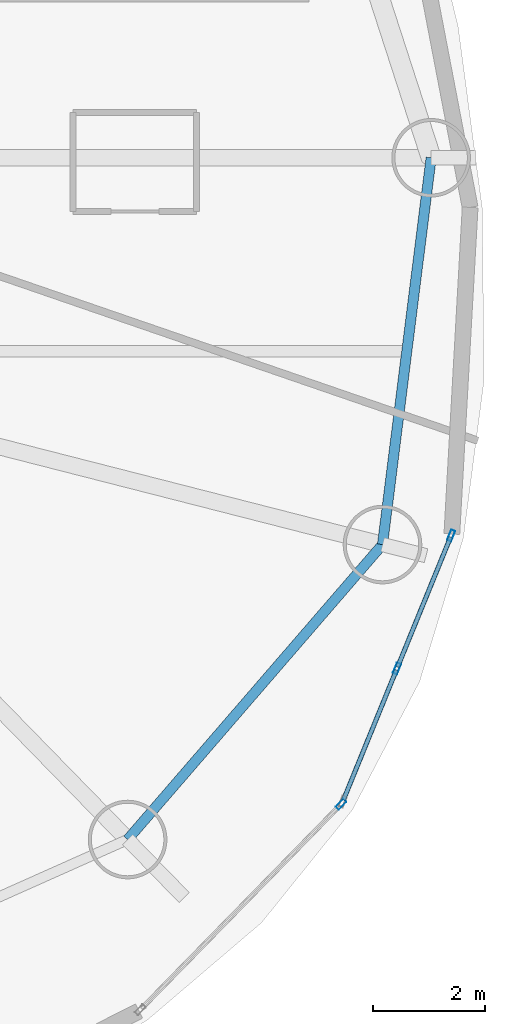
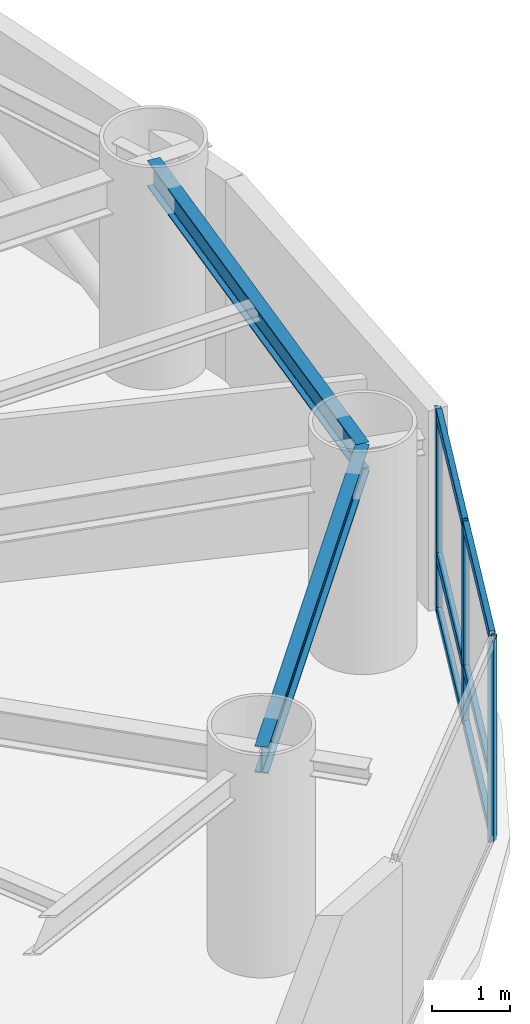
# One storey, part 8 of 21: 9 members, 2 beams, 2 elements without a shape of their own.
"""IFC4 building model written with IfcOpenShell, lengths in metres."""

from ifc_helpers import new_model, si_unit, direction, frame, origin, origin_2d, place, context, subcontext, project, spatial, hollow_rectangle, i_section, extrude, material, layer, layer_set, material_profile, profile_set, type_object, element, aggregate, save


model = new_model("IFC4")

# Units and contexts
model_context = context("Model", 3, precision=1e-05, world=origin(), true_north=direction((0.0, 1.0)))
body_context = subcontext(model_context, "Body", "Model", "MODEL_VIEW")
ifc_project = project(units=[si_unit("LENGTHUNIT", "METRE"), si_unit("AREAUNIT", "SQUARE_METRE"), si_unit("VOLUMEUNIT", "CUBIC_METRE"), si_unit("PLANEANGLEUNIT", "RADIAN"), si_unit("MASSUNIT", "GRAM", prefix="KILO")], contexts=[model_context])

# Site, building, storey
site_placement = place(None, origin())
site = spatial("IfcSite", under=ifc_project, at=site_placement, CompositionType="ELEMENT")
building_placement = place(site_placement, origin())
building = spatial("IfcBuilding", under=site, at=building_placement, Name="Bramvorn Convention Spire", CompositionType="ELEMENT")
storey_placement = place(building_placement, frame((0.0, 0.0, 162.300048828125)))
storey = spatial("IfcBuildingStorey", under=building, at=storey_placement, Name="L41", CompositionType="ELEMENT", Elevation=162.300048828125)

# Beams
ifc_material_1 = material(Name="Steel CSA G40.21 Grade 350 (350W)", Category="steel")
ifc_material_profile_1 = material_profile(ifc_material_1, i_section(OverallWidth=0.180908203125, OverallDepth=0.4169921875, WebThickness=0.010986328125, FlangeThickness=0.018310546875, FilletRadius=0.01611328125, at=origin_2d()))
ifc_profile_set_1 = profile_set([ifc_material_profile_1], Name="Steel CSA G40.21 Grade 350 (350W) - W410X85")
beam_type = type_object("IfcBeamType", Name="BM-W410X85", PredefinedType="JOIST", material=ifc_profile_set_1)
beam_1_placement = place(storey_placement, frame((62.11767578125, 15.26220703125, 2.94140625), z_axis=(0.124775053879, 0.992185056292, 0.0), x_axis=(-0.992185056292, 0.124775053879, 0.0)))
element("IfcBeam", 1, at=beam_1_placement, inside=storey, type_object=beam_type, Name="L41 mega-column ring beam 01", PredefinedType="JOIST", context=body_context, shape_type="SweptSolid", body=[
    extrude(i_section(OverallWidth=0.180908203125, OverallDepth=0.4169921875, WebThickness=0.010986328125, FlangeThickness=0.018310546875, FilletRadius=0.01611328125, at=origin_2d()), origin(), (0.0, 0.0, 1.0), 6.940185546875),
])
beam_2_placement = place(storey_placement, frame((57.579833984375, 10.0107421875, 2.94140625), z_axis=(0.653824993824, 0.756645807132, 0.0), x_axis=(-0.756645807132, 0.653824993824, 0.0)))
element("IfcBeam", 2, at=beam_2_placement, inside=storey, type_object=beam_type, Name="L41 mega-column ring beam 16", PredefinedType="JOIST", context=body_context, shape_type="SweptSolid", body=[
    extrude(i_section(OverallWidth=0.180908203125, OverallDepth=0.4169921875, WebThickness=0.010986328125, FlangeThickness=0.018310546875, FilletRadius=0.01611328125, at=origin_2d()), origin(), (0.0, 0.0, 1.0), 6.9404296875),
])

# Curtain wall, members
ifc_material_2 = material(Name="Anodised Bronze Unitised Curtain Wall", Category="aluminium")
ifc_layer = layer(ifc_material_2, 0.179931640625)
ifc_layer_set = layer_set([ifc_layer], Name="Anodised Bronze Unitised Curtain Wall - CW-HTL-FRIT")
curtain_wall_type = type_object("IfcCurtainWallType", Name="CW-HTL-FRIT", PredefinedType="USERDEFINED", material=ifc_layer_set)
curtain_wall_1_placement = place(storey_placement, origin())
curtain_wall_1 = element("IfcCurtainWall", 3, at=curtain_wall_1_placement, inside=storey, type_object=curtain_wall_type, Name="L41 fritted glass curtain wall 01", ObjectType="UNITISED CURTAIN WALL", PredefinedType="USERDEFINED")
ifc_material_3 = material(Name="Anodised Bronze Aluminium 6063-T6", Category="aluminium")
ifc_material_profile_2 = material_profile(ifc_material_3, hollow_rectangle(XDim=0.080078125, YDim=0.199951171875, WallThickness=0.00390625, InnerFilletRadius=0.0009765625, OuterFilletRadius=0.00390625, at=origin_2d()))
ifc_profile_set_2 = profile_set([ifc_material_profile_2], Name="Anodised Bronze Aluminium 6063-T6 - CWM80X200")
member_type_1 = type_object("IfcMemberType", Name="CW-MUL-180", PredefinedType="MULLION", material=ifc_profile_set_2)
member_1_placement = place(storey_placement, frame((63.340576171875, 15.422607421875, 0.0), z_axis=(0.0, 0.0, 1.0), x_axis=(0.926056840802, -0.377384058493, 0.0)))
member_1 = element("IfcMember", 4, at=member_1_placement, type_object=member_type_1, Name="CW2 mullion 1", PredefinedType="MULLION", context=body_context, shape_type="SweptSolid", body=[
    extrude(hollow_rectangle(XDim=0.080078125, YDim=0.199951171875, WallThickness=0.00390625, InnerFilletRadius=0.0009765625, OuterFilletRadius=0.00390625, at=origin_2d()), origin(), (0.0, 0.0, 1.0), 3.14990234375),
])
member_2_placement = place(storey_placement, frame((62.375732421875, 13.0546875, 0.0), z_axis=(0.0, 0.0, 1.0), x_axis=(0.926056840802, -0.377384058493, 0.0)))
member_2 = element("IfcMember", 5, at=member_2_placement, type_object=member_type_1, Name="CW2 mullion 2", PredefinedType="MULLION", context=body_context, shape_type="SweptSolid", body=[
    extrude(hollow_rectangle(XDim=0.080078125, YDim=0.199951171875, WallThickness=0.00390625, InnerFilletRadius=0.0009765625, OuterFilletRadius=0.00390625, at=origin_2d()), origin(), (0.0, 0.0, 1.0), 3.14990234375),
])

# Curtain wall, member
curtain_wall_2_placement = place(storey_placement, origin())
curtain_wall_2 = element("IfcCurtainWall", 6, at=curtain_wall_2_placement, inside=storey, type_object=curtain_wall_type, Name="L41 fritted glass curtain wall 24", ObjectType="UNITISED CURTAIN WALL", PredefinedType="USERDEFINED")
member_3_placement = place(storey_placement, frame((61.37841796875, 10.637451171875, 0.0), z_axis=(0.0, 0.0, 1.0), x_axis=(0.715348995073, -0.698767354166, 0.0)))
member_3 = element("IfcMember", 7, at=member_3_placement, type_object=member_type_1, Name="CW2 mullion 1", PredefinedType="MULLION", context=body_context, shape_type="SweptSolid", body=[
    extrude(hollow_rectangle(XDim=0.080078125, YDim=0.199951171875, WallThickness=0.00390625, InnerFilletRadius=0.0009765625, OuterFilletRadius=0.00390625, at=origin_2d()), origin(), (0.0, 0.0, 1.0), 3.14990234375),
])
aggregate(curtain_wall_2, [member_3])

# Member
ifc_material_profile_3 = material_profile(ifc_material_3, hollow_rectangle(XDim=0.080078125, YDim=0.159912109375, WallThickness=0.00390625, InnerFilletRadius=0.0009765625, OuterFilletRadius=0.00390625, at=origin_2d()))
ifc_profile_set_3 = profile_set([ifc_material_profile_3], Name="Anodised Bronze Aluminium 6063-T6 - CWT80X160")
member_type_2 = type_object("IfcMemberType", Name="CW-TRN-150", PredefinedType="USERDEFINED", material=ifc_profile_set_3)
member_4_placement = place(storey_placement, frame((63.329345703125, 15.39501953125, 0.030029296875), z_axis=(-0.377383841513, -0.926056929225, 0.0), x_axis=(0.926056929225, -0.377383841513, 0.0)))
member_4 = element("IfcMember", 8, at=member_4_placement, type_object=member_type_2, Name="CW2 transom 1.1", ObjectType="TRANSOM", PredefinedType="USERDEFINED", context=body_context, shape_type="SweptSolid", body=[
    extrude(hollow_rectangle(XDim=0.080078125, YDim=0.159912109375, WallThickness=0.00390625, InnerFilletRadius=0.0009765625, OuterFilletRadius=0.00390625, at=origin_2d()), origin(), (0.0, 0.0, 1.0), 2.4970703125),
])

member_5_placement = place(storey_placement, frame((63.329345703125, 15.39501953125, 0.89990234375), z_axis=(-0.377383841513, -0.926056929225, 0.0), x_axis=(0.926056929225, -0.377383841513, 0.0)))
member_5 = element("IfcMember", 9, at=member_5_placement, type_object=member_type_2, Name="CW2 transom 1.2", ObjectType="TRANSOM", PredefinedType="USERDEFINED", context=body_context, shape_type="SweptSolid", body=[
    extrude(hollow_rectangle(XDim=0.080078125, YDim=0.159912109375, WallThickness=0.00390625, InnerFilletRadius=0.0009765625, OuterFilletRadius=0.00390625, at=origin_2d()), origin(), (0.0, 0.0, 1.0), 2.4970703125),
])

member_6_placement = place(storey_placement, frame((63.329345703125, 15.39501953125, 3.119873046875), z_axis=(-0.377383841513, -0.926056929225, 0.0), x_axis=(0.926056929225, -0.377383841513, 0.0)))
member_6 = element("IfcMember", 10, at=member_6_placement, type_object=member_type_2, Name="CW2 transom 1.3", ObjectType="TRANSOM", PredefinedType="USERDEFINED", context=body_context, shape_type="SweptSolid", body=[
    extrude(hollow_rectangle(XDim=0.080078125, YDim=0.159912109375, WallThickness=0.00390625, InnerFilletRadius=0.0009765625, OuterFilletRadius=0.00390625, at=origin_2d()), origin(), (0.0, 0.0, 1.0), 2.4970703125),
])

member_7_placement = place(storey_placement, frame((62.3642578125, 13.02685546875, 0.030029296875), z_axis=(-0.377383841513, -0.926056929225, 0.0), x_axis=(0.926056929225, -0.377383841513, 0.0)))
member_7 = element("IfcMember", 11, at=member_7_placement, type_object=member_type_2, Name="CW2 transom 2.1", ObjectType="TRANSOM", PredefinedType="USERDEFINED", context=body_context, shape_type="SweptSolid", body=[
    extrude(hollow_rectangle(XDim=0.080078125, YDim=0.159912109375, WallThickness=0.00390625, InnerFilletRadius=0.0009765625, OuterFilletRadius=0.00390625, at=origin_2d()), origin(), (0.0, 0.0, 1.0), 2.4970703125),
])

member_8_placement = place(storey_placement, frame((62.3642578125, 13.02685546875, 0.89990234375), z_axis=(-0.377383841513, -0.926056929225, 0.0), x_axis=(0.926056929225, -0.377383841513, 0.0)))
member_8 = element("IfcMember", 12, at=member_8_placement, type_object=member_type_2, Name="CW2 transom 2.2", ObjectType="TRANSOM", PredefinedType="USERDEFINED", context=body_context, shape_type="SweptSolid", body=[
    extrude(hollow_rectangle(XDim=0.080078125, YDim=0.159912109375, WallThickness=0.00390625, InnerFilletRadius=0.0009765625, OuterFilletRadius=0.00390625, at=origin_2d()), origin(), (0.0, 0.0, 1.0), 2.4970703125),
])

member_9_placement = place(storey_placement, frame((62.3642578125, 13.02685546875, 3.119873046875), z_axis=(-0.377383841513, -0.926056929225, 0.0), x_axis=(0.926056929225, -0.377383841513, 0.0)))
member_9 = element("IfcMember", 13, at=member_9_placement, type_object=member_type_2, Name="CW2 transom 2.3", ObjectType="TRANSOM", PredefinedType="USERDEFINED", context=body_context, shape_type="SweptSolid", body=[
    extrude(hollow_rectangle(XDim=0.080078125, YDim=0.159912109375, WallThickness=0.00390625, InnerFilletRadius=0.0009765625, OuterFilletRadius=0.00390625, at=origin_2d()), origin(), (0.0, 0.0, 1.0), 2.4970703125),
])

aggregate(curtain_wall_1, [member_1, member_2, member_4, member_5, member_6, member_7, member_8, member_9])

save(model, "model.ifc")
